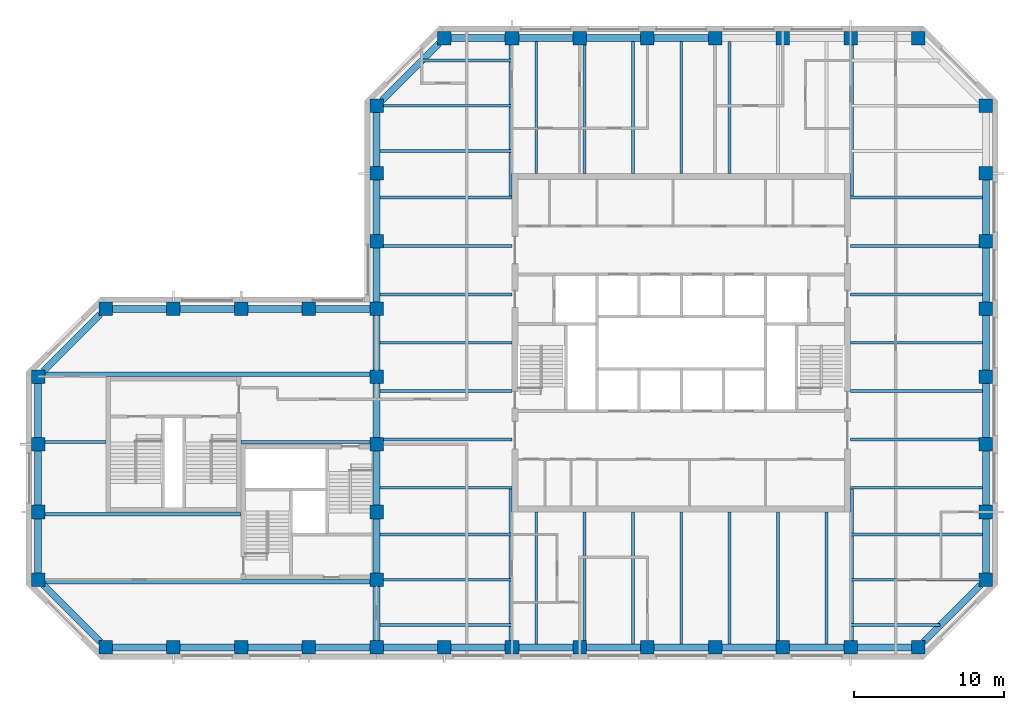
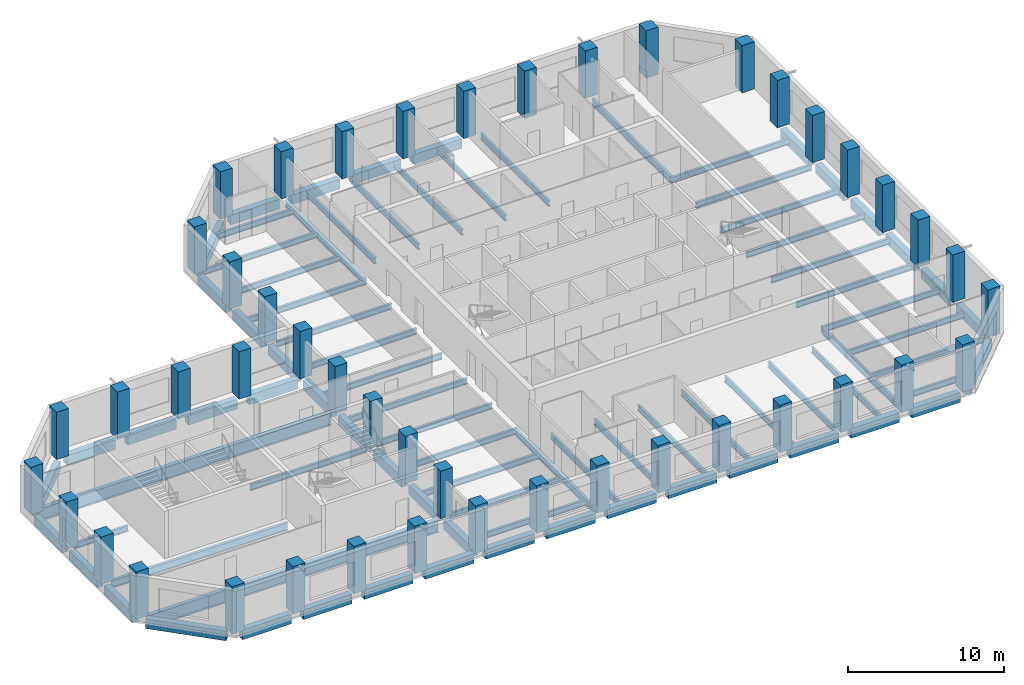
# One storey, part 1 of 9: 85 beams, 45 columns.
"""IFC4 building model written with IfcOpenShell, lengths in metres."""

from ifc_helpers import new_model, si_unit, direction, frame, origin, origin_2d, place, context, subcontext, project, spatial, rectangle, i_section, extrude, material, material_profile, profile_set, type_object, element, save


model = new_model("IFC4")

# Units and contexts
model_context = context("Model", 3, precision=1e-05, world=origin(), true_north=direction((0.0, 1.0)))
body_context = subcontext(model_context, "Body", "Model", "MODEL_VIEW")
ifc_project = project(units=[si_unit("LENGTHUNIT", "METRE"), si_unit("AREAUNIT", "SQUARE_METRE"), si_unit("VOLUMEUNIT", "CUBIC_METRE"), si_unit("PLANEANGLEUNIT", "RADIAN"), si_unit("MASSUNIT", "GRAM", prefix="KILO")], contexts=[model_context])

# Site, building, storey
site_placement = place(None, origin())
site = spatial("IfcSite", under=ifc_project, at=site_placement, CompositionType="ELEMENT")
building_placement = place(site_placement, origin())
building = spatial("IfcBuilding", under=site, at=building_placement, Name="Quoin Convention Tower", CompositionType="ELEMENT")
storey_placement = place(building_placement, frame((0.0, 0.0, 169.89990234375)))
storey = spatial("IfcBuildingStorey", under=building, at=storey_placement, Name="L44", CompositionType="ELEMENT", Elevation=169.89990234375)

# Columns
ifc_material_1 = material(Name="Concrete C50", Category="concrete")
ifc_material_profile_1 = material_profile(ifc_material_1, rectangle(XDim=0.89990234375, YDim=0.89990234375, at=origin_2d()), Name="RC 900x900")
ifc_profile_set_1 = profile_set([ifc_material_profile_1], Name="Concrete C50")
column_type = type_object("IfcColumnType", Name="RC 900x900 C50", PredefinedType="COLUMN", material=ifc_profile_set_1)
for number, where, z_axis, x_axis, name in (
    (1, (18.0, 40.5, 0.0), (0.0, 0.0, 1.0), (1.0, 0.0, 0.0), "col-L44-18000_40500"),
    (2, (22.5, 40.5, 0.0), (0.0, 0.0, 1.0), (1.0, 0.0, 0.0), "col-L44-22500_40500"),
    (3, (27.0, 40.5, 0.0), (0.0, 0.0, 1.0), (1.0, 0.0, 0.0), "col-L44-27000_40500"),
    (4, (31.5, 40.5, 0.0), (0.0, 0.0, 1.0), (1.0, 0.0, 0.0), "col-L44-31500_40500"),
    (5, (36.0, 40.5, 0.0), (0.0, 0.0, 1.0), (1.0, 0.0, 0.0), "col-L44-36000_40500"),
    (6, (40.5, 40.5, 0.0), (0.0, 0.0, 1.0), (1.0, 0.0, 0.0), "col-L44-40500_40500"),
    (7, (45.0, 40.5, 0.0), (0.0, 0.0, 1.0), (1.0, 0.0, 0.0), "col-L44-45000_40500"),
    (8, (49.5, 40.5, 0.0), (0.0, 0.0, 1.0), (1.0, 0.0, 0.0), "col-L44-49500_40500"),
    (9, (54.0, 40.5, 0.0), (0.0, 0.0, 1.0), (1.0, 0.0, 0.0), "col-L44-54000_40500"),
    (10, (58.5, 40.5, 0.0), (0.0, 0.0, 1.0), (1.0, 0.0, 0.0), "col-L44-58500_40500"),
    (11, (63.0, 40.5, 0.0), (0.0, 0.0, 1.0), (1.0, 0.0, 0.0), "col-L44-63000_40500"),
    (12, (67.5, 40.5, 0.0), (0.0, 0.0, 1.0), (1.0, 0.0, 0.0), "col-L44-67500_40500"),
    (13, (72.0, 40.5, 0.0), (0.0, 0.0, 1.0), (1.0, 0.0, 0.0), "col-L44-72000_40500"),
    (14, (13.5, 45.0, 0.0), (0.0, 0.0, 1.0), (1.0, 0.0, 0.0), "col-L44-13500_45000"),
    (15, (36.0, 45.0, 0.0), (0.0, 0.0, 1.0), (1.0, 0.0, 0.0), "web-L44-36000_45000"),
    (16, (76.5, 45.0, 0.0), (0.0, 0.0, 1.0), (1.0, 0.0, 0.0), "col-L44-76500_45000"),
    (17, (13.5, 49.5, 0.0), (0.0, 0.0, 1.0), (1.0, 0.0, 0.0), "col-L44-13500_49500"),
    (18, (36.0, 49.5, 0.0), (0.0, 0.0, 1.0), (1.0, 0.0, 0.0), "web-L44-36000_49500"),
    (19, (76.5, 49.5, 0.0), (0.0, 0.0, 1.0), (1.0, 0.0, 0.0), "col-L44-76500_49500"),
    (20, (13.5, 54.0, 0.0), (0.0, 0.0, 1.0), (1.0, 0.0, 0.0), "col-L44-13500_54000"),
    (21, (36.0, 54.0, 0.0), (0.0, 0.0, 1.0), (1.0, 0.0, 0.0), "web-L44-36000_54000"),
    (22, (76.5, 54.0, 0.0), (0.0, 0.0, 1.0), (1.0, 0.0, 0.0), "col-L44-76500_54000"),
    (23, (13.5, 58.5, 0.0), (0.0, 0.0, 1.0), (1.0, 0.0, 0.0), "col-L44-13500_58500"),
    (24, (36.0, 58.5, 0.0), (0.0, 0.0, 1.0), (1.0, 0.0, 0.0), "web-L44-36000_58500"),
    (25, (76.5, 58.5, 0.0), (0.0, 0.0, 1.0), (1.0, 0.0, 0.0), "col-L44-76500_58500"),
    (26, (18.0, 63.0, 0.0), (0.0, 0.0, 1.0), (1.0, 0.0, 0.0), "col-L44-18000_63000"),
    (27, (22.5, 63.0, 0.0), (0.0, 0.0, 1.0), (1.0, 0.0, 0.0), "col-L44-22500_63000"),
    (28, (27.0, 63.0, 0.0), (0.0, 0.0, 1.0), (1.0, 0.0, 0.0), "col-L44-27000_63000"),
    (29, (31.5, 63.0, 0.0), (0.0, 0.0, 1.0), (1.0, 0.0, 0.0), "col-L44-31500_63000"),
    (30, (36.0, 63.0, 0.0), (0.0, 0.0, 1.0), (1.0, 0.0, 0.0), "col-L44-36000_63000"),
    (31, (76.5, 63.0, 0.0), (0.0, 0.0, 1.0), (1.0, 0.0, 0.0), "col-L44-76500_63000"),
    (32, (36.0, 67.5, 0.0), (0.0, 0.0, 1.0), (1.0, 0.0, 0.0), "col-L44-36000_67500"),
    (33, (76.5, 67.5, 0.0), (0.0, 0.0, 1.0), (1.0, 0.0, 0.0), "col-L44-76500_67500"),
    (34, (36.0, 72.0, 0.0), (0.0, 0.0, 1.0), (1.0, 0.0, 0.0), "col-L44-36000_72000"),
    (35, (76.5, 72.0, 0.0), (0.0, 0.0, 1.0), (1.0, 0.0, 0.0), "col-L44-76500_72000"),
    (36, (36.0, 76.5, 0.0), (0.0, 0.0, 1.0), (1.0, 0.0, 0.0), "col-L44-36000_76500"),
    (37, (76.5, 76.5, 0.0), (0.0, 0.0, 1.0), (1.0, 0.0, 0.0), "col-L44-76500_76500"),
    (38, (40.5, 81.0, 0.0), (0.0, 0.0, 1.0), (1.0, 0.0, 0.0), "col-L44-40500_81000"),
    (39, (45.0, 81.0, 0.0), (0.0, 0.0, 1.0), (1.0, 0.0, 0.0), "col-L44-45000_81000"),
    (40, (49.5, 81.0, 0.0), (0.0, 0.0, 1.0), (1.0, 0.0, 0.0), "col-L44-49500_81000"),
    (41, (54.0, 81.0, 0.0), (0.0, 0.0, 1.0), (1.0, 0.0, 0.0), "col-L44-54000_81000"),
    (42, (58.5, 81.0, 0.0), (0.0, 0.0, 1.0), (1.0, 0.0, 0.0), "col-L44-58500_81000"),
    (43, (63.0, 81.0, 0.0), (0.0, 0.0, 1.0), (1.0, 0.0, 0.0), "col-L44-63000_81000"),
    (44, (67.5, 81.0, 0.0), (0.0, 0.0, 1.0), (1.0, 0.0, 0.0), "col-L44-67500_81000"),
    (45, (72.0, 81.0, 0.0), (0.0, 0.0, 1.0), (1.0, 0.0, 0.0), "col-L44-72000_81000"),
):
    element("IfcColumn", number, at=place(storey_placement, frame(where, z_axis=z_axis, x_axis=x_axis)), inside=storey, type_object=column_type, Name=name, PredefinedType="COLUMN", context=body_context, shape_type="SweptSolid", body=[
        extrude(rectangle(XDim=0.89990234375, YDim=0.89990234375, at=origin_2d()), origin(), (0.0, 0.0, 1.0), 3.7001953125),
    ])

# Beams
ifc_material_2 = material(Name="Steel Grade 300", Category="steel")
ifc_material_profile_2 = material_profile(ifc_material_2, i_section(OverallWidth=0.300048828125, OverallDepth=1.0, WebThickness=0.01611328125, FlangeThickness=0.02001953125, at=origin_2d()), Name="1000WB215")
ifc_profile_set_2 = profile_set([ifc_material_profile_2], Name="Steel Grade 300")
beam_type_1 = type_object("IfcBeamType", Name="1000WB215", PredefinedType="BEAM", material=ifc_profile_set_2)
for number, where, z_axis, x_axis, name in (
    (46, (13.949951171875, 44.85009765625, -0.64990234375), (1.0, 0.0, 0.0), (0.0, 1.0, 0.0), "gir-L44-ST2-1-0"),
    (47, (13.949951171875, 58.64990234375, -0.64990234375), (1.0, 0.0, 0.0), (0.0, 1.0, 0.0), "gir-L44-ST2-4-0"),
):
    element("IfcBeam", number, at=place(storey_placement, frame(where, z_axis=z_axis, x_axis=x_axis)), inside=storey, type_object=beam_type_1, Name=name, PredefinedType="BEAM", context=body_context, shape_type="SweptSolid", body=[
        extrude(i_section(OverallWidth=0.300048828125, OverallDepth=1.0, WebThickness=0.01611328125, FlangeThickness=0.02001953125, at=origin_2d()), origin(), (0.0, 0.0, 1.0), 21.60009765625),
    ])
ifc_material_profile_3 = material_profile(ifc_material_2, i_section(OverallWidth=0.18994140625, OverallDepth=0.4541015625, WebThickness=0.008544921875, FlangeThickness=0.0126953125, FilletRadius=0.011474609375, at=origin_2d()), Name="460UB67.1")
ifc_profile_set_3 = profile_set([ifc_material_profile_3], Name="Steel Grade 300")
beam_type_2 = type_object("IfcBeamType", Name="460UB67.1", PredefinedType="BEAM", material=ifc_profile_set_3)
beam_1_placement = place(storey_placement, frame((36.22509765625, 51.107177734375, -0.376953125), z_axis=(1.0, 0.0, 0.0), x_axis=(0.0, 1.0, 0.0)))
element("IfcBeam", 48, at=beam_1_placement, inside=storey, type_object=beam_type_2, Name="bm-L44-T1W0", PredefinedType="BEAM", context=body_context, shape_type="SweptSolid", body=[
    extrude(i_section(OverallWidth=0.18994140625, OverallDepth=0.4541015625, WebThickness=0.008544921875, FlangeThickness=0.0126953125, FilletRadius=0.011474609375, at=origin_2d()), origin(), (0.0, 0.0, 1.0), 8.77490234375),
])
beam_2_placement = place(storey_placement, frame((36.449951171875, 54.3212890625, -0.376953125), z_axis=(1.0, 0.0, 0.0), x_axis=(0.0, 1.0, 0.0)))
element("IfcBeam", 49, at=beam_2_placement, inside=storey, type_object=beam_type_2, Name="bm-L44-T1W1", PredefinedType="BEAM", context=body_context, shape_type="SweptSolid", body=[
    extrude(i_section(OverallWidth=0.18994140625, OverallDepth=0.4541015625, WebThickness=0.008544921875, FlangeThickness=0.0126953125, FilletRadius=0.011474609375, at=origin_2d()), origin(), (0.0, 0.0, 1.0), 8.550048828125),
])
for number, where, z_axis, x_axis, name in (
    (50, (36.22509765625, 57.53564453125, -0.376953125), (1.0, 0.0, 0.0), (0.0, 1.0, 0.0), "bm-L44-T1W2"),
    (51, (36.22509765625, 60.75, -0.376953125), (1.0, 0.0, 0.0), (0.0, 1.0, 0.0), "bm-L44-T1W3"),
    (52, (36.22509765625, 63.96435546875, -0.376953125), (1.0, 0.0, 0.0), (0.0, 1.0, 0.0), "bm-L44-T1W4"),
):
    element("IfcBeam", number, at=place(storey_placement, frame(where, z_axis=z_axis, x_axis=x_axis)), inside=storey, type_object=beam_type_2, Name=name, PredefinedType="BEAM", context=body_context, shape_type="SweptSolid", body=[
        extrude(i_section(OverallWidth=0.18994140625, OverallDepth=0.4541015625, WebThickness=0.008544921875, FlangeThickness=0.0126953125, FilletRadius=0.011474609375, at=origin_2d()), origin(), (0.0, 0.0, 1.0), 8.77490234375),
    ])
beam_3_placement = place(storey_placement, frame((36.449951171875, 67.1787109375, -0.376953125), z_axis=(1.0, 0.0, 0.0), x_axis=(0.0, 1.0, 0.0)))
element("IfcBeam", 53, at=beam_3_placement, inside=storey, type_object=beam_type_2, Name="bm-L44-T1W5", PredefinedType="BEAM", context=body_context, shape_type="SweptSolid", body=[
    extrude(i_section(OverallWidth=0.18994140625, OverallDepth=0.4541015625, WebThickness=0.008544921875, FlangeThickness=0.0126953125, FilletRadius=0.011474609375, at=origin_2d()), origin(), (0.0, 0.0, 1.0), 8.550048828125),
])
for number, where, z_axis, x_axis, name in (
    (54, (36.22509765625, 70.392822265625, -0.376953125), (1.0, 0.0, 0.0), (0.0, 1.0, 0.0), "bm-L44-T1W6"),
    (55, (67.5, 51.107177734375, -0.376953125), (1.0, 0.0, 0.0), (0.0, 1.0, 0.0), "bm-L44-T1E0"),
):
    element("IfcBeam", number, at=place(storey_placement, frame(where, z_axis=z_axis, x_axis=x_axis)), inside=storey, type_object=beam_type_2, Name=name, PredefinedType="BEAM", context=body_context, shape_type="SweptSolid", body=[
        extrude(i_section(OverallWidth=0.18994140625, OverallDepth=0.4541015625, WebThickness=0.008544921875, FlangeThickness=0.0126953125, FilletRadius=0.011474609375, at=origin_2d()), origin(), (0.0, 0.0, 1.0), 8.77490234375),
    ])
beam_4_placement = place(storey_placement, frame((67.5, 54.3212890625, -0.376953125), z_axis=(1.0, 0.0, 0.0), x_axis=(0.0, 1.0, 0.0)))
element("IfcBeam", 56, at=beam_4_placement, inside=storey, type_object=beam_type_2, Name="bm-L44-T1E1", PredefinedType="BEAM", context=body_context, shape_type="SweptSolid", body=[
    extrude(i_section(OverallWidth=0.18994140625, OverallDepth=0.4541015625, WebThickness=0.008544921875, FlangeThickness=0.0126953125, FilletRadius=0.011474609375, at=origin_2d()), origin(), (0.0, 0.0, 1.0), 8.550048828125),
])
for number, where, z_axis, x_axis, name in (
    (57, (67.5, 57.53564453125, -0.376953125), (1.0, 0.0, 0.0), (0.0, 1.0, 0.0), "bm-L44-T1E2"),
    (58, (67.5, 60.75, -0.376953125), (1.0, 0.0, 0.0), (0.0, 1.0, 0.0), "bm-L44-T1E3"),
    (59, (67.5, 63.96435546875, -0.376953125), (1.0, 0.0, 0.0), (0.0, 1.0, 0.0), "bm-L44-T1E4"),
):
    element("IfcBeam", number, at=place(storey_placement, frame(where, z_axis=z_axis, x_axis=x_axis)), inside=storey, type_object=beam_type_2, Name=name, PredefinedType="BEAM", context=body_context, shape_type="SweptSolid", body=[
        extrude(i_section(OverallWidth=0.18994140625, OverallDepth=0.4541015625, WebThickness=0.008544921875, FlangeThickness=0.0126953125, FilletRadius=0.011474609375, at=origin_2d()), origin(), (0.0, 0.0, 1.0), 8.77490234375),
    ])
beam_5_placement = place(storey_placement, frame((67.5, 67.1787109375, -0.376953125), z_axis=(1.0, 0.0, 0.0), x_axis=(0.0, 1.0, 0.0)))
element("IfcBeam", 60, at=beam_5_placement, inside=storey, type_object=beam_type_2, Name="bm-L44-T1E5", PredefinedType="BEAM", context=body_context, shape_type="SweptSolid", body=[
    extrude(i_section(OverallWidth=0.18994140625, OverallDepth=0.4541015625, WebThickness=0.008544921875, FlangeThickness=0.0126953125, FilletRadius=0.011474609375, at=origin_2d()), origin(), (0.0, 0.0, 1.0), 8.550048828125),
])
for number, where, z_axis, x_axis, name in (
    (61, (67.5, 70.392822265625, -0.376953125), (1.0, 0.0, 0.0), (0.0, 1.0, 0.0), "bm-L44-T1E6"),
    (62, (46.607177734375, 40.72509765625, -0.376953125), (0.0, 1.0, 0.0), (-1.0, 0.0, 0.0), "bm-L44-T1S0"),
):
    element("IfcBeam", number, at=place(storey_placement, frame(where, z_axis=z_axis, x_axis=x_axis)), inside=storey, type_object=beam_type_2, Name=name, PredefinedType="BEAM", context=body_context, shape_type="SweptSolid", body=[
        extrude(i_section(OverallWidth=0.18994140625, OverallDepth=0.4541015625, WebThickness=0.008544921875, FlangeThickness=0.0126953125, FilletRadius=0.011474609375, at=origin_2d()), origin(), (0.0, 0.0, 1.0), 8.77490234375),
    ])
beam_6_placement = place(storey_placement, frame((49.8212890625, 40.949951171875, -0.376953125), z_axis=(0.0, 1.0, 0.0), x_axis=(-1.0, 0.0, 0.0)))
element("IfcBeam", 63, at=beam_6_placement, inside=storey, type_object=beam_type_2, Name="bm-L44-T1S1", PredefinedType="BEAM", context=body_context, shape_type="SweptSolid", body=[
    extrude(i_section(OverallWidth=0.18994140625, OverallDepth=0.4541015625, WebThickness=0.008544921875, FlangeThickness=0.0126953125, FilletRadius=0.011474609375, at=origin_2d()), origin(), (0.0, 0.0, 1.0), 8.550048828125),
])
for number, where, z_axis, x_axis, name in (
    (64, (53.03564453125, 40.72509765625, -0.376953125), (0.0, 1.0, 0.0), (-1.0, 0.0, 0.0), "bm-L44-T1S2"),
    (65, (56.25, 40.72509765625, -0.376953125), (0.0, 1.0, 0.0), (-1.0, 0.0, 0.0), "bm-L44-T1S3"),
    (66, (59.46435546875, 40.72509765625, -0.376953125), (0.0, 1.0, 0.0), (-1.0, 0.0, 0.0), "bm-L44-T1S4"),
):
    element("IfcBeam", number, at=place(storey_placement, frame(where, z_axis=z_axis, x_axis=x_axis)), inside=storey, type_object=beam_type_2, Name=name, PredefinedType="BEAM", context=body_context, shape_type="SweptSolid", body=[
        extrude(i_section(OverallWidth=0.18994140625, OverallDepth=0.4541015625, WebThickness=0.008544921875, FlangeThickness=0.0126953125, FilletRadius=0.011474609375, at=origin_2d()), origin(), (0.0, 0.0, 1.0), 8.77490234375),
    ])
beam_7_placement = place(storey_placement, frame((62.6787109375, 40.949951171875, -0.376953125), z_axis=(0.0, 1.0, 0.0), x_axis=(-1.0, 0.0, 0.0)))
element("IfcBeam", 67, at=beam_7_placement, inside=storey, type_object=beam_type_2, Name="bm-L44-T1S5", PredefinedType="BEAM", context=body_context, shape_type="SweptSolid", body=[
    extrude(i_section(OverallWidth=0.18994140625, OverallDepth=0.4541015625, WebThickness=0.008544921875, FlangeThickness=0.0126953125, FilletRadius=0.011474609375, at=origin_2d()), origin(), (0.0, 0.0, 1.0), 8.550048828125),
])
for number, where, z_axis, x_axis, name in (
    (68, (65.892822265625, 40.72509765625, -0.376953125), (0.0, 1.0, 0.0), (-1.0, 0.0, 0.0), "bm-L44-T1S6"),
    (69, (46.607177734375, 72.0, -0.376953125), (0.0, 1.0, 0.0), (-1.0, 0.0, 0.0), "bm-L44-T1N0"),
):
    element("IfcBeam", number, at=place(storey_placement, frame(where, z_axis=z_axis, x_axis=x_axis)), inside=storey, type_object=beam_type_2, Name=name, PredefinedType="BEAM", context=body_context, shape_type="SweptSolid", body=[
        extrude(i_section(OverallWidth=0.18994140625, OverallDepth=0.4541015625, WebThickness=0.008544921875, FlangeThickness=0.0126953125, FilletRadius=0.011474609375, at=origin_2d()), origin(), (0.0, 0.0, 1.0), 8.77490234375),
    ])
beam_8_placement = place(storey_placement, frame((49.8212890625, 72.0, -0.376953125), z_axis=(0.0, 1.0, 0.0), x_axis=(-1.0, 0.0, 0.0)))
element("IfcBeam", 70, at=beam_8_placement, inside=storey, type_object=beam_type_2, Name="bm-L44-T1N1", PredefinedType="BEAM", context=body_context, shape_type="SweptSolid", body=[
    extrude(i_section(OverallWidth=0.18994140625, OverallDepth=0.4541015625, WebThickness=0.008544921875, FlangeThickness=0.0126953125, FilletRadius=0.011474609375, at=origin_2d()), origin(), (0.0, 0.0, 1.0), 8.550048828125),
])
for number, where, z_axis, x_axis, name in (
    (71, (53.03564453125, 72.0, -0.376953125), (0.0, 1.0, 0.0), (-1.0, 0.0, 0.0), "bm-L44-T1N2"),
    (72, (56.25, 72.0, -0.376953125), (0.0, 1.0, 0.0), (-1.0, 0.0, 0.0), "bm-L44-T1N3"),
    (73, (59.46435546875, 72.0, -0.376953125), (0.0, 1.0, 0.0), (-1.0, 0.0, 0.0), "bm-L44-T1N4"),
    (74, (36.22509765625, 42.0, -0.376953125), (1.0, 0.0, 0.0), (0.0, 1.0, 0.0), "bm-L44-T1SW0"),
):
    element("IfcBeam", number, at=place(storey_placement, frame(where, z_axis=z_axis, x_axis=x_axis)), inside=storey, type_object=beam_type_2, Name=name, PredefinedType="BEAM", context=body_context, shape_type="SweptSolid", body=[
        extrude(i_section(OverallWidth=0.18994140625, OverallDepth=0.4541015625, WebThickness=0.008544921875, FlangeThickness=0.0126953125, FilletRadius=0.011474609375, at=origin_2d()), origin(), (0.0, 0.0, 1.0), 8.77490234375),
    ])
beam_9_placement = place(storey_placement, frame((36.449951171875, 45.0, -0.376953125), z_axis=(1.0, 0.0, 0.0), x_axis=(0.0, 1.0, 0.0)))
element("IfcBeam", 75, at=beam_9_placement, inside=storey, type_object=beam_type_2, Name="bm-L44-T1SW1", PredefinedType="BEAM", context=body_context, shape_type="SweptSolid", body=[
    extrude(i_section(OverallWidth=0.18994140625, OverallDepth=0.4541015625, WebThickness=0.008544921875, FlangeThickness=0.0126953125, FilletRadius=0.011474609375, at=origin_2d()), origin(), (0.0, 0.0, 1.0), 8.550048828125),
])
beam_10_placement = place(storey_placement, frame((36.22509765625, 48.0, -0.376953125), z_axis=(1.0, 0.0, 0.0), x_axis=(0.0, 1.0, 0.0)))
element("IfcBeam", 76, at=beam_10_placement, inside=storey, type_object=beam_type_2, Name="bm-L44-T1SW2", PredefinedType="BEAM", context=body_context, shape_type="SweptSolid", body=[
    extrude(i_section(OverallWidth=0.18994140625, OverallDepth=0.4541015625, WebThickness=0.008544921875, FlangeThickness=0.0126953125, FilletRadius=0.011474609375, at=origin_2d()), origin(), (0.0, 0.0, 1.0), 8.77490234375),
])
beam_11_placement = place(storey_placement, frame((67.5, 42.0, -0.376953125), z_axis=(1.0, 0.0, 0.0), x_axis=(0.0, 1.0, 0.0)))
element("IfcBeam", 77, at=beam_11_placement, inside=storey, type_object=beam_type_2, Name="bm-L44-T1SE0", PredefinedType="BEAM", context=body_context, shape_type="SweptSolid", body=[
    extrude(i_section(OverallWidth=0.18994140625, OverallDepth=0.4541015625, WebThickness=0.008544921875, FlangeThickness=0.0126953125, FilletRadius=0.011474609375, at=origin_2d()), origin(), (0.0, 0.0, 1.0), 5.935791015625),
])
beam_12_placement = place(storey_placement, frame((67.5, 45.0, -0.376953125), z_axis=(1.0, 0.0, 0.0), x_axis=(0.0, 1.0, 0.0)))
element("IfcBeam", 78, at=beam_12_placement, inside=storey, type_object=beam_type_2, Name="bm-L44-T1SE1", PredefinedType="BEAM", context=body_context, shape_type="SweptSolid", body=[
    extrude(i_section(OverallWidth=0.18994140625, OverallDepth=0.4541015625, WebThickness=0.008544921875, FlangeThickness=0.0126953125, FilletRadius=0.011474609375, at=origin_2d()), origin(), (0.0, 0.0, 1.0), 8.550048828125),
])
beam_13_placement = place(storey_placement, frame((67.5, 48.0, -0.376953125), z_axis=(1.0, 0.0, 0.0), x_axis=(0.0, 1.0, 0.0)))
element("IfcBeam", 79, at=beam_13_placement, inside=storey, type_object=beam_type_2, Name="bm-L44-T1SE2", PredefinedType="BEAM", context=body_context, shape_type="SweptSolid", body=[
    extrude(i_section(OverallWidth=0.18994140625, OverallDepth=0.4541015625, WebThickness=0.008544921875, FlangeThickness=0.0126953125, FilletRadius=0.011474609375, at=origin_2d()), origin(), (0.0, 0.0, 1.0), 8.77490234375),
])
beam_14_placement = place(storey_placement, frame((39.064208984375, 79.5, -0.376953125), z_axis=(1.0, 0.0, 0.0), x_axis=(0.0, 1.0, 0.0)))
element("IfcBeam", 80, at=beam_14_placement, inside=storey, type_object=beam_type_2, Name="bm-L44-T1NW0", PredefinedType="BEAM", context=body_context, shape_type="SweptSolid", body=[
    extrude(i_section(OverallWidth=0.18994140625, OverallDepth=0.4541015625, WebThickness=0.008544921875, FlangeThickness=0.0126953125, FilletRadius=0.011474609375, at=origin_2d()), origin(), (0.0, 0.0, 1.0), 5.935791015625),
])
beam_15_placement = place(storey_placement, frame((36.449951171875, 76.5, -0.376953125), z_axis=(1.0, 0.0, 0.0), x_axis=(0.0, 1.0, 0.0)))
element("IfcBeam", 81, at=beam_15_placement, inside=storey, type_object=beam_type_2, Name="bm-L44-T1NW1", PredefinedType="BEAM", context=body_context, shape_type="SweptSolid", body=[
    extrude(i_section(OverallWidth=0.18994140625, OverallDepth=0.4541015625, WebThickness=0.008544921875, FlangeThickness=0.0126953125, FilletRadius=0.011474609375, at=origin_2d()), origin(), (0.0, 0.0, 1.0), 8.550048828125),
])
beam_16_placement = place(storey_placement, frame((36.22509765625, 73.5, -0.376953125), z_axis=(1.0, 0.0, 0.0), x_axis=(0.0, 1.0, 0.0)))
element("IfcBeam", 82, at=beam_16_placement, inside=storey, type_object=beam_type_2, Name="bm-L44-T1NW2", PredefinedType="BEAM", context=body_context, shape_type="SweptSolid", body=[
    extrude(i_section(OverallWidth=0.18994140625, OverallDepth=0.4541015625, WebThickness=0.008544921875, FlangeThickness=0.0126953125, FilletRadius=0.011474609375, at=origin_2d()), origin(), (0.0, 0.0, 1.0), 8.77490234375),
])
beam_17_placement = place(storey_placement, frame((13.949951171875, 54.14990234375, -0.376953125), z_axis=(1.0, 0.0, 0.0), x_axis=(0.0, 1.0, 0.0)))
element("IfcBeam", 83, at=beam_17_placement, inside=storey, type_object=beam_type_2, Name="gir-L44-ST2-3-0", PredefinedType="BEAM", context=body_context, shape_type="SweptSolid", body=[
    extrude(i_section(OverallWidth=0.18994140625, OverallDepth=0.4541015625, WebThickness=0.008544921875, FlangeThickness=0.0126953125, FilletRadius=0.011474609375, at=origin_2d()), origin(), (0.0, 0.0, 1.0), 4.050048828125),
])
beam_18_placement = place(storey_placement, frame((27.0, 54.14990234375, -0.376953125), z_axis=(1.0, 0.0, 0.0), x_axis=(0.0, 1.0, 0.0)))
element("IfcBeam", 84, at=beam_18_placement, inside=storey, type_object=beam_type_2, Name="gir-L44-ST2-3-1", PredefinedType="BEAM", context=body_context, shape_type="SweptSolid", body=[
    extrude(i_section(OverallWidth=0.18994140625, OverallDepth=0.4541015625, WebThickness=0.008544921875, FlangeThickness=0.0126953125, FilletRadius=0.011474609375, at=origin_2d()), origin(), (0.0, 0.0, 1.0), 8.550048828125),
])
ifc_material_profile_4 = material_profile(ifc_material_2, i_section(OverallWidth=0.208984375, OverallDepth=0.528076171875, WebThickness=0.009521484375, FlangeThickness=0.01318359375, FilletRadius=0.013916015625, at=origin_2d()), Name="530UB82.0")
ifc_profile_set_4 = profile_set([ifc_material_profile_4], Name="Steel Grade 300")
beam_type_3 = type_object("IfcBeamType", Name="530UB82.0", PredefinedType="BEAM", material=ifc_profile_set_4)
for number, where, z_axis, x_axis, name in (
    (85, (44.904541015625, 40.949951171875, -0.413818359375), (0.0, 1.0, 0.0), (-1.0, 0.0, 0.0), "gir-L44-T1SW"),
    (86, (67.595458984375, 40.949951171875, -0.413818359375), (0.0, 1.0, 0.0), (-1.0, 0.0, 0.0), "gir-L44-T1SE"),
    (87, (44.904541015625, 80.550048828125, -0.413818359375), (0.0, -1.0, 0.0), (1.0, 0.0, 0.0), "gir-L44-T1NW"),
    (88, (67.595458984375, 80.550048828125, -0.413818359375), (0.0, -1.0, 0.0), (1.0, 0.0, 0.0), "gir-L44-T1NE"),
):
    element("IfcBeam", number, at=place(storey_placement, frame(where, z_axis=z_axis, x_axis=x_axis)), inside=storey, type_object=beam_type_3, Name=name, PredefinedType="BEAM", context=body_context, shape_type="SweptSolid", body=[
        extrude(i_section(OverallWidth=0.208984375, OverallDepth=0.528076171875, WebThickness=0.009521484375, FlangeThickness=0.01318359375, FilletRadius=0.013916015625, at=origin_2d()), origin(), (0.0, 0.0, 1.0), 10.062255859375),
    ])
ifc_material_profile_5 = material_profile(ifc_material_2, i_section(OverallWidth=0.22802734375, OverallDepth=0.60205078125, WebThickness=0.010498046875, FlangeThickness=0.014892578125, FilletRadius=0.013916015625, at=origin_2d()), Name="610UB101")
ifc_profile_set_5 = profile_set([ifc_material_profile_5], Name="Steel Grade 300")
beam_type_4 = type_object("IfcBeamType", Name="610UB101", PredefinedType="BEAM", material=ifc_profile_set_5)
beam_19_placement = place(storey_placement, frame((13.949951171875, 49.35009765625, -0.450927734375), z_axis=(1.0, 0.0, 0.0), x_axis=(0.0, 1.0, 0.0)))
element("IfcBeam", 89, at=beam_19_placement, inside=storey, type_object=beam_type_4, Name="gir-L44-ST2-2-0", PredefinedType="BEAM", context=body_context, shape_type="SweptSolid", body=[
    extrude(i_section(OverallWidth=0.22802734375, OverallDepth=0.60205078125, WebThickness=0.010498046875, FlangeThickness=0.014892578125, FilletRadius=0.013916015625, at=origin_2d()), origin(), (0.0, 0.0, 1.0), 13.050048828125),
])
ifc_material_profile_6 = material_profile(ifc_material_1, rectangle(XDim=0.449951171875, YDim=0.75, at=origin_2d()), Name="RC 450x750")
ifc_profile_set_6 = profile_set([ifc_material_profile_6], Name="Concrete C50")
beam_type_5 = type_object("IfcBeamType", Name="RC 450x750 C50", PredefinedType="SPANDREL", material=ifc_profile_set_6)
for number, where, z_axis, x_axis, name in (
    (90, (36.449951171875, 40.5, -0.52490234375), (1.0, 0.0, 0.0), (0.0, 1.0, 0.0), "spd-L44-36000_40500-40500_40500"),
    (91, (40.949951171875, 40.5, -0.52490234375), (1.0, 0.0, 0.0), (0.0, 1.0, 0.0), "spd-L44-40500_40500-45000_40500"),
    (92, (45.449951171875, 40.5, -0.52490234375), (1.0, 0.0, 0.0), (0.0, 1.0, 0.0), "spd-L44-45000_40500-49500_40500"),
    (93, (49.949951171875, 40.5, -0.52490234375), (1.0, 0.0, 0.0), (0.0, 1.0, 0.0), "spd-L44-49500_40500-54000_40500"),
    (94, (54.449951171875, 40.5, -0.52490234375), (1.0, 0.0, 0.0), (0.0, 1.0, 0.0), "spd-L44-54000_40500-58500_40500"),
    (95, (58.949951171875, 40.5, -0.52490234375), (1.0, 0.0, 0.0), (0.0, 1.0, 0.0), "spd-L44-58500_40500-63000_40500"),
    (96, (63.449951171875, 40.5, -0.52490234375), (1.0, 0.0, 0.0), (0.0, 1.0, 0.0), "spd-L44-63000_40500-67500_40500"),
    (97, (67.949951171875, 40.5, -0.52490234375), (1.0, 0.0, 0.0), (0.0, 1.0, 0.0), "spd-L44-67500_40500-72000_40500"),
):
    element("IfcBeam", number, at=place(storey_placement, frame(where, z_axis=z_axis, x_axis=x_axis)), inside=storey, type_object=beam_type_5, Name=name, PredefinedType="SPANDREL", context=body_context, shape_type="SweptSolid", body=[
        extrude(rectangle(XDim=0.449951171875, YDim=0.75, at=origin_2d()), origin(), (0.0, 0.0, 1.0), 3.60009765625),
    ])
beam_20_placement = place(storey_placement, frame((72.364990234375, 40.864990234375, -0.52490234375), z_axis=(0.707106781187, 0.707106781187, 0.0), x_axis=(-0.707106781187, 0.707106781187, 0.0)))
element("IfcBeam", 98, at=beam_20_placement, inside=storey, type_object=beam_type_5, Name="spd-L44-72000_40500-76500_45000", PredefinedType="SPANDREL", context=body_context, shape_type="SweptSolid", body=[
    extrude(rectangle(XDim=0.449951171875, YDim=0.75, at=origin_2d()), origin(), (0.0, 0.0, 1.0), 5.33154296875),
])
for number, where, z_axis, x_axis, name in (
    (99, (76.5, 45.449951171875, -0.52490234375), (0.0, 1.0, 0.0), (-1.0, 0.0, 0.0), "spd-L44-76500_45000-76500_49500"),
    (100, (76.5, 49.949951171875, -0.52490234375), (0.0, 1.0, 0.0), (-1.0, 0.0, 0.0), "spd-L44-76500_49500-76500_54000"),
    (101, (76.5, 54.449951171875, -0.52490234375), (0.0, 1.0, 0.0), (-1.0, 0.0, 0.0), "spd-L44-76500_54000-76500_58500"),
    (102, (76.5, 58.949951171875, -0.52490234375), (0.0, 1.0, 0.0), (-1.0, 0.0, 0.0), "spd-L44-76500_58500-76500_63000"),
    (103, (76.5, 63.449951171875, -0.52490234375), (0.0, 1.0, 0.0), (-1.0, 0.0, 0.0), "spd-L44-76500_63000-76500_67500"),
    (104, (76.5, 67.949951171875, -0.52490234375), (0.0, 1.0, 0.0), (-1.0, 0.0, 0.0), "spd-L44-76500_67500-76500_72000"),
    (105, (58.050048828125, 81.0, -0.52490234375), (-1.0, 0.0, 0.0), (0.0, -1.0, 0.0), "spd-L44-58500_81000-54000_81000"),
    (106, (53.550048828125, 81.0, -0.52490234375), (-1.0, 0.0, 0.0), (0.0, -1.0, 0.0), "spd-L44-54000_81000-49500_81000"),
    (107, (49.050048828125, 81.0, -0.52490234375), (-1.0, 0.0, 0.0), (0.0, -1.0, 0.0), "spd-L44-49500_81000-45000_81000"),
    (108, (44.550048828125, 81.0, -0.52490234375), (-1.0, 0.0, 0.0), (0.0, -1.0, 0.0), "spd-L44-45000_81000-40500_81000"),
):
    element("IfcBeam", number, at=place(storey_placement, frame(where, z_axis=z_axis, x_axis=x_axis)), inside=storey, type_object=beam_type_5, Name=name, PredefinedType="SPANDREL", context=body_context, shape_type="SweptSolid", body=[
        extrude(rectangle(XDim=0.449951171875, YDim=0.75, at=origin_2d()), origin(), (0.0, 0.0, 1.0), 3.60009765625),
    ])
beam_21_placement = place(storey_placement, frame((40.135009765625, 80.635009765625, -0.52490234375), z_axis=(-0.707106781187, -0.707106781187, 0.0), x_axis=(0.707106781187, -0.707106781187, 0.0)))
element("IfcBeam", 109, at=beam_21_placement, inside=storey, type_object=beam_type_5, Name="spd-L44-40500_81000-36000_76500", PredefinedType="SPANDREL", context=body_context, shape_type="SweptSolid", body=[
    extrude(rectangle(XDim=0.449951171875, YDim=0.75, at=origin_2d()), origin(), (0.0, 0.0, 1.0), 5.33154296875),
])
for number, where, z_axis, x_axis, name in (
    (110, (36.0, 76.050048828125, -0.52490234375), (0.0, -1.0, 0.0), (1.0, 0.0, 0.0), "spd-L44-36000_76500-36000_72000"),
    (111, (36.0, 71.550048828125, -0.52490234375), (0.0, -1.0, 0.0), (1.0, 0.0, 0.0), "spd-L44-36000_72000-36000_67500"),
    (112, (36.0, 67.050048828125, -0.52490234375), (0.0, -1.0, 0.0), (1.0, 0.0, 0.0), "spd-L44-36000_67500-36000_63000"),
    (113, (35.550048828125, 63.0, -0.52490234375), (-1.0, 0.0, 0.0), (0.0, -1.0, 0.0), "spd-L44-36000_63000-31500_63000"),
    (114, (31.050048828125, 63.0, -0.52490234375), (-1.0, 0.0, 0.0), (0.0, -1.0, 0.0), "spd-L44-31500_63000-27000_63000"),
    (115, (26.550048828125, 63.0, -0.52490234375), (-1.0, 0.0, 0.0), (0.0, -1.0, 0.0), "spd-L44-27000_63000-22500_63000"),
    (116, (22.050048828125, 63.0, -0.52490234375), (-1.0, 0.0, 0.0), (0.0, -1.0, 0.0), "spd-L44-22500_63000-18000_63000"),
):
    element("IfcBeam", number, at=place(storey_placement, frame(where, z_axis=z_axis, x_axis=x_axis)), inside=storey, type_object=beam_type_5, Name=name, PredefinedType="SPANDREL", context=body_context, shape_type="SweptSolid", body=[
        extrude(rectangle(XDim=0.449951171875, YDim=0.75, at=origin_2d()), origin(), (0.0, 0.0, 1.0), 3.60009765625),
    ])
beam_22_placement = place(storey_placement, frame((17.635009765625, 62.635009765625, -0.52490234375), z_axis=(-0.707106781187, -0.707106781187, 0.0), x_axis=(0.707106781187, -0.707106781187, 0.0)))
element("IfcBeam", 117, at=beam_22_placement, inside=storey, type_object=beam_type_5, Name="spd-L44-18000_63000-13500_58500", PredefinedType="SPANDREL", context=body_context, shape_type="SweptSolid", body=[
    extrude(rectangle(XDim=0.449951171875, YDim=0.75, at=origin_2d()), origin(), (0.0, 0.0, 1.0), 5.33154296875),
])
for number, where, z_axis, x_axis, name in (
    (118, (13.5, 58.050048828125, -0.52490234375), (0.0, -1.0, 0.0), (1.0, 0.0, 0.0), "spd-L44-13500_58500-13500_54000"),
    (119, (13.5, 53.550048828125, -0.52490234375), (0.0, -1.0, 0.0), (1.0, 0.0, 0.0), "spd-L44-13500_54000-13500_49500"),
    (120, (13.5, 49.050048828125, -0.52490234375), (0.0, -1.0, 0.0), (1.0, 0.0, 0.0), "spd-L44-13500_49500-13500_45000"),
):
    element("IfcBeam", number, at=place(storey_placement, frame(where, z_axis=z_axis, x_axis=x_axis)), inside=storey, type_object=beam_type_5, Name=name, PredefinedType="SPANDREL", context=body_context, shape_type="SweptSolid", body=[
        extrude(rectangle(XDim=0.449951171875, YDim=0.75, at=origin_2d()), origin(), (0.0, 0.0, 1.0), 3.60009765625),
    ])
beam_23_placement = place(storey_placement, frame((13.864990234375, 44.635009765625, -0.52490234375), z_axis=(0.707106781187, -0.707106781187, 0.0), x_axis=(0.707106781187, 0.707106781187, 0.0)))
element("IfcBeam", 121, at=beam_23_placement, inside=storey, type_object=beam_type_5, Name="spd-L44-13500_45000-18000_40500", PredefinedType="SPANDREL", context=body_context, shape_type="SweptSolid", body=[
    extrude(rectangle(XDim=0.449951171875, YDim=0.75, at=origin_2d()), origin(), (0.0, 0.0, 1.0), 5.33154296875),
])
for number, where, z_axis, x_axis, name in (
    (122, (18.449951171875, 40.5, -0.52490234375), (1.0, 0.0, 0.0), (0.0, 1.0, 0.0), "spd-L44-18000_40500-22500_40500"),
    (123, (22.949951171875, 40.5, -0.52490234375), (1.0, 0.0, 0.0), (0.0, 1.0, 0.0), "spd-L44-22500_40500-27000_40500"),
    (124, (27.449951171875, 40.5, -0.52490234375), (1.0, 0.0, 0.0), (0.0, 1.0, 0.0), "spd-L44-27000_40500-31500_40500"),
    (125, (31.949951171875, 40.5, -0.52490234375), (1.0, 0.0, 0.0), (0.0, 1.0, 0.0), "spd-L44-31500_40500-36000_40500"),
    (126, (36.0, 40.949951171875, -0.52490234375), (0.0, 1.0, 0.0), (-1.0, 0.0, 0.0), "spd-L44-36000_40500-36000_45000"),
    (127, (36.0, 45.449951171875, -0.52490234375), (0.0, 1.0, 0.0), (-1.0, 0.0, 0.0), "spd-L44-36000_45000-36000_49500"),
    (128, (36.0, 49.949951171875, -0.52490234375), (0.0, 1.0, 0.0), (-1.0, 0.0, 0.0), "spd-L44-36000_49500-36000_54000"),
    (129, (36.0, 54.449951171875, -0.52490234375), (0.0, 1.0, 0.0), (-1.0, 0.0, 0.0), "spd-L44-36000_54000-36000_58500"),
    (130, (36.0, 58.949951171875, -0.52490234375), (0.0, 1.0, 0.0), (-1.0, 0.0, 0.0), "spd-L44-36000_58500-36000_63000"),
):
    element("IfcBeam", number, at=place(storey_placement, frame(where, z_axis=z_axis, x_axis=x_axis)), inside=storey, type_object=beam_type_5, Name=name, PredefinedType="SPANDREL", context=body_context, shape_type="SweptSolid", body=[
        extrude(rectangle(XDim=0.449951171875, YDim=0.75, at=origin_2d()), origin(), (0.0, 0.0, 1.0), 3.60009765625),
    ])

save(model, "model.ifc")
